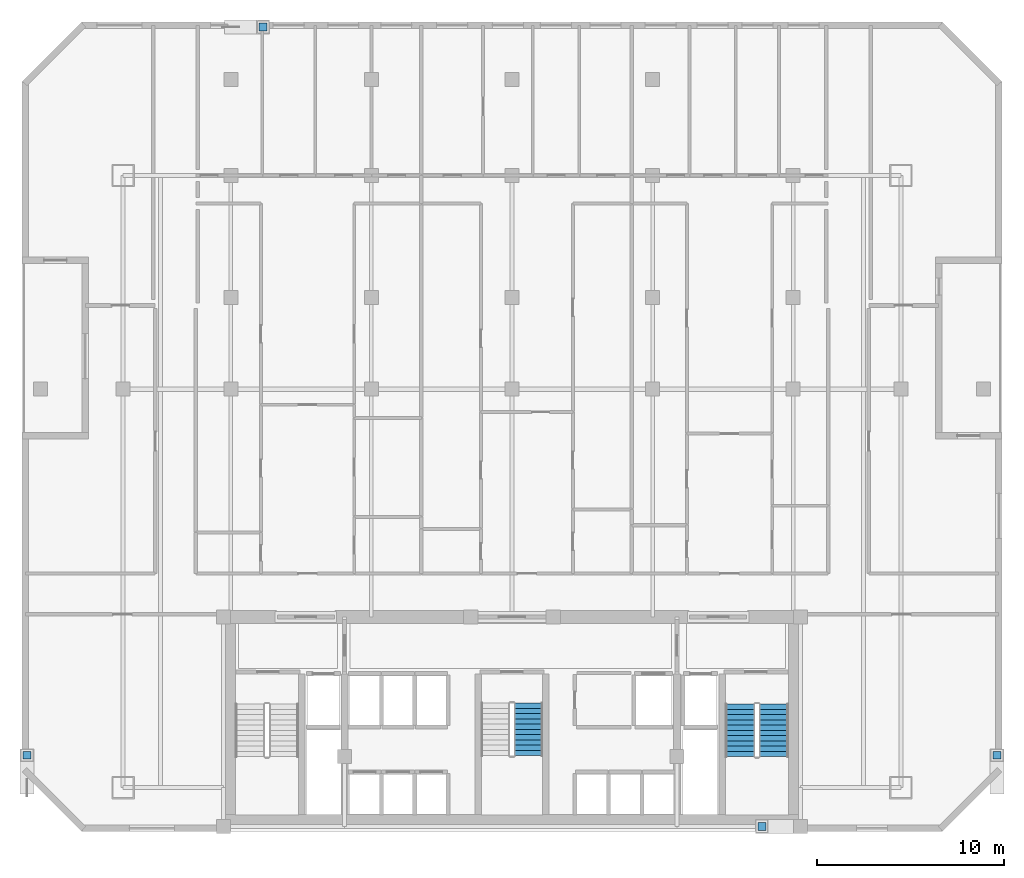
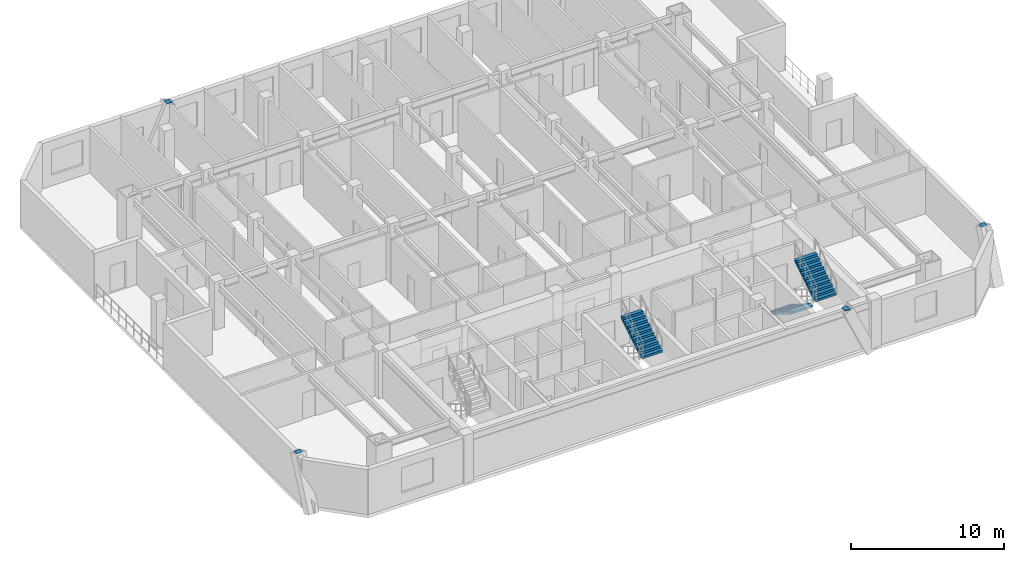
# One storey, part 8 of 10: 4 discrete accessories, 3 stair flights, 2 elements without a shape of their own.
"""IFC4 building model written with IfcOpenShell, lengths in metres."""

from ifc_helpers import new_model, si_unit, direction, frame, origin, origin_2d, place, context, subcontext, project, spatial, polyline, rectangle, outline, extrude, material, type_object, element, aggregate, save


model = new_model("IFC4")

# Units and contexts
model_context = context("Model", 3, precision=1e-05, world=origin(), true_north=direction((0.0, 1.0)))
body_context = subcontext(model_context, "Body", "Model", "MODEL_VIEW")
ifc_project = project(units=[si_unit("LENGTHUNIT", "METRE"), si_unit("AREAUNIT", "SQUARE_METRE"), si_unit("VOLUMEUNIT", "CUBIC_METRE"), si_unit("PLANEANGLEUNIT", "RADIAN"), si_unit("MASSUNIT", "GRAM", prefix="KILO")], contexts=[model_context])

# Site, building, storey
site_placement = place(None, origin())
site = spatial("IfcSite", under=ifc_project, at=site_placement, CompositionType="ELEMENT")
building_placement = place(site_placement, origin())
building = spatial("IfcBuilding", under=site, at=building_placement, Name="Ventersveld Concourse Tower", CompositionType="ELEMENT")
storey_placement = place(building_placement, frame((0.0, 0.0, 123.39990234375)))
storey = spatial("IfcBuildingStorey", under=building, at=storey_placement, Name="L30", CompositionType="ELEMENT", Elevation=123.39990234375)

# Stair, stair flight
ifc_material_1 = material(Name="Concrete C50/60", Category="concrete")
stair_type_1 = type_object("IfcStairType", Name="ST-DOG-155", PredefinedType="HALF_TURN_STAIR", material=ifc_material_1)
stair_1_placement = place(storey_placement, origin())
stair_1 = element("IfcStair", 1, at=stair_1_placement, inside=storey, type_object=stair_type_1, Name="L30 Protected Central Core Escape Stair ST-03", PredefinedType="HALF_TURN_STAIR")
stair_flight_type_1 = type_object("IfcStairFlightType", Name="STF-RC-155", PredefinedType="STRAIGHT", material=ifc_material_1)
stair_flight_1_placement = place(storey_placement, frame((29.625, 4.050048828125, 1.925048828125), z_axis=(0.0, 0.0, 1.0), x_axis=(0.0, 1.0, 0.0)))
stair_flight_1 = element("IfcStairFlight", 2, at=stair_flight_1_placement, type_object=stair_flight_type_1, Name="ST-03 flight 2", NumberOfRisers=11, NumberOfTreads=10, PredefinedType="STRAIGHT", RiserHeight=0.175, TreadLength=0.28, context=body_context, shape_type="SweptSolid", body=[
    extrude(outline(polyline([(0.0, 0.0), (0.0, 0.175048828125), (0.280029296875, 0.175048828125), (0.280029296875, 0.35009765625), (0.56005859375, 0.35009765625), (0.56005859375, 0.52490234375), (0.840087890625, 0.52490234375), (0.840087890625, 0.699951171875), (1.1201171875, 0.699951171875), (1.1201171875, 0.875), (1.39990234375, 0.875), (1.39990234375, 1.050048828125), (1.679931640625, 1.050048828125), (1.679931640625, 1.22509765625), (1.9599609375, 1.22509765625), (1.9599609375, 1.39990234375), (2.239990234375, 1.39990234375), (2.239990234375, 1.574951171875), (2.52001953125, 1.574951171875), (2.52001953125, 1.75), (2.800048828125, 1.75), (2.800048828125, 1.925048828125), (2.800048828125, 1.5732421875), (0.28271484375, 0.0), (0.0, 0.0)])), frame((0.0, 0.77490234375, 0.0), z_axis=(0.0, -1.0, 0.0), x_axis=(1.0, 0.0, 0.0)), (0.0, 0.0, 1.0), 1.550048828125),
])
aggregate(stair_1, [stair_flight_1])

# Stair, stair flights
stair_type_2 = type_object("IfcStairType", Name="ST-DOG-160", PredefinedType="HALF_TURN_STAIR", material=ifc_material_1)
stair_2_placement = place(storey_placement, origin())
stair_2 = element("IfcStair", 3, at=stair_2_placement, inside=storey, type_object=stair_type_2, Name="L30 Protected Tower Escape Stair ST-02", PredefinedType="HALF_TURN_STAIR")
stair_flight_type_2 = type_object("IfcStairFlightType", Name="STF-RC-160", PredefinedType="STRAIGHT", material=ifc_material_1)
stair_flight_2_placement = place(storey_placement, frame((40.919921875, 6.800048828125, 0.0), z_axis=(0.0, 0.0, 1.0), x_axis=(0.0, -1.0, 0.0)))
stair_flight_2 = element("IfcStairFlight", 4, at=stair_flight_2_placement, type_object=stair_flight_type_2, Name="ST-02 flight 1", NumberOfRisers=11, NumberOfTreads=10, PredefinedType="STRAIGHT", RiserHeight=0.175, TreadLength=0.28, context=body_context, shape_type="SweptSolid", body=[
    extrude(outline(polyline([(0.0, 0.0), (0.0, 0.175048828125), (0.280029296875, 0.175048828125), (0.280029296875, 0.35009765625), (0.56005859375, 0.35009765625), (0.56005859375, 0.52490234375), (0.840087890625, 0.52490234375), (0.840087890625, 0.699951171875), (1.1201171875, 0.699951171875), (1.1201171875, 0.875), (1.39990234375, 0.875), (1.39990234375, 1.050048828125), (1.679931640625, 1.050048828125), (1.679931640625, 1.22509765625), (1.9599609375, 1.22509765625), (1.9599609375, 1.39990234375), (2.239990234375, 1.39990234375), (2.239990234375, 1.574951171875), (2.52001953125, 1.574951171875), (2.52001953125, 1.75), (2.800048828125, 1.75), (2.800048828125, 1.925048828125), (2.800048828125, 1.5732421875), (0.28271484375, 0.0), (0.0, 0.0)])), frame((0.0, 0.800048828125, 0.0), z_axis=(0.0, -1.0, 0.0), x_axis=(1.0, 0.0, 0.0)), (0.0, 0.0, 1.0), 1.60009765625),
])
stair_flight_3_placement = place(storey_placement, frame((42.719970703125, 4.0, 1.925048828125), z_axis=(0.0, 0.0, 1.0), x_axis=(0.0, 1.0, 0.0)))
stair_flight_3 = element("IfcStairFlight", 5, at=stair_flight_3_placement, type_object=stair_flight_type_2, Name="ST-02 flight 2", NumberOfRisers=11, NumberOfTreads=10, PredefinedType="STRAIGHT", RiserHeight=0.175, TreadLength=0.28, context=body_context, shape_type="SweptSolid", body=[
    extrude(outline(polyline([(0.0, 0.0), (0.0, 0.175048828125), (0.280029296875, 0.175048828125), (0.280029296875, 0.35009765625), (0.56005859375, 0.35009765625), (0.56005859375, 0.52490234375), (0.840087890625, 0.52490234375), (0.840087890625, 0.699951171875), (1.1201171875, 0.699951171875), (1.1201171875, 0.875), (1.39990234375, 0.875), (1.39990234375, 1.050048828125), (1.679931640625, 1.050048828125), (1.679931640625, 1.22509765625), (1.9599609375, 1.22509765625), (1.9599609375, 1.39990234375), (2.239990234375, 1.39990234375), (2.239990234375, 1.574951171875), (2.52001953125, 1.574951171875), (2.52001953125, 1.75), (2.800048828125, 1.75), (2.800048828125, 1.925048828125), (2.800048828125, 1.5732421875), (0.28271484375, 0.0), (0.0, 0.0)])), frame((0.0, 0.800048828125, 0.0), z_axis=(0.0, -1.0, 0.0), x_axis=(1.0, 0.0, 0.0)), (0.0, 0.0, 1.0), 1.60009765625),
])
aggregate(stair_2, [stair_flight_2, stair_flight_3])

# Discrete accessories
ifc_material_2 = material(Name="Structural steel S355J2", Category="steel")
discrete_accessory_type = type_object("IfcDiscreteAccessoryType", Name="CONN-BRACE-ECP1", PredefinedType="BRACKET", material=ifc_material_2)
for number, where, z_axis, x_axis, name in (
    (6, (15.473876953125, 42.919921875, 3.580078125), (0.0, 0.0, 1.0), (1.0, 0.0, 0.0), "L30 Steel Brace End Connection Plate ECP1-0300"),
    (7, (42.076171875, 0.280029296875, 3.580078125), (0.0, 0.0, 1.0), (1.0, 0.0, 0.0), "L30 Steel Brace End Connection Plate ECP1-0304"),
    (8, (2.8798828125, 4.073974609375, 3.580078125), (0.0, 0.0, 1.0), (1.0, 0.0, 0.0), "L30 Steel Brace End Connection Plate ECP1-0308"),
    (9, (54.6201171875, 4.073974609375, 3.580078125), (0.0, 0.0, 1.0), (1.0, 0.0, 0.0), "L30 Steel Brace End Connection Plate ECP1-0312"),
):
    element("IfcDiscreteAccessory", number, at=place(storey_placement, frame(where, z_axis=z_axis, x_axis=x_axis)), inside=storey, type_object=discrete_accessory_type, Name=name, PredefinedType="BRACKET", context=body_context, shape_type="SweptSolid", body=[
        extrude(rectangle(XDim=0.419921875, YDim=0.419921875, at=origin_2d()), origin(), (0.0, 0.0, 1.0), 0.0400390625),
    ])

save(model, "model.ifc")
